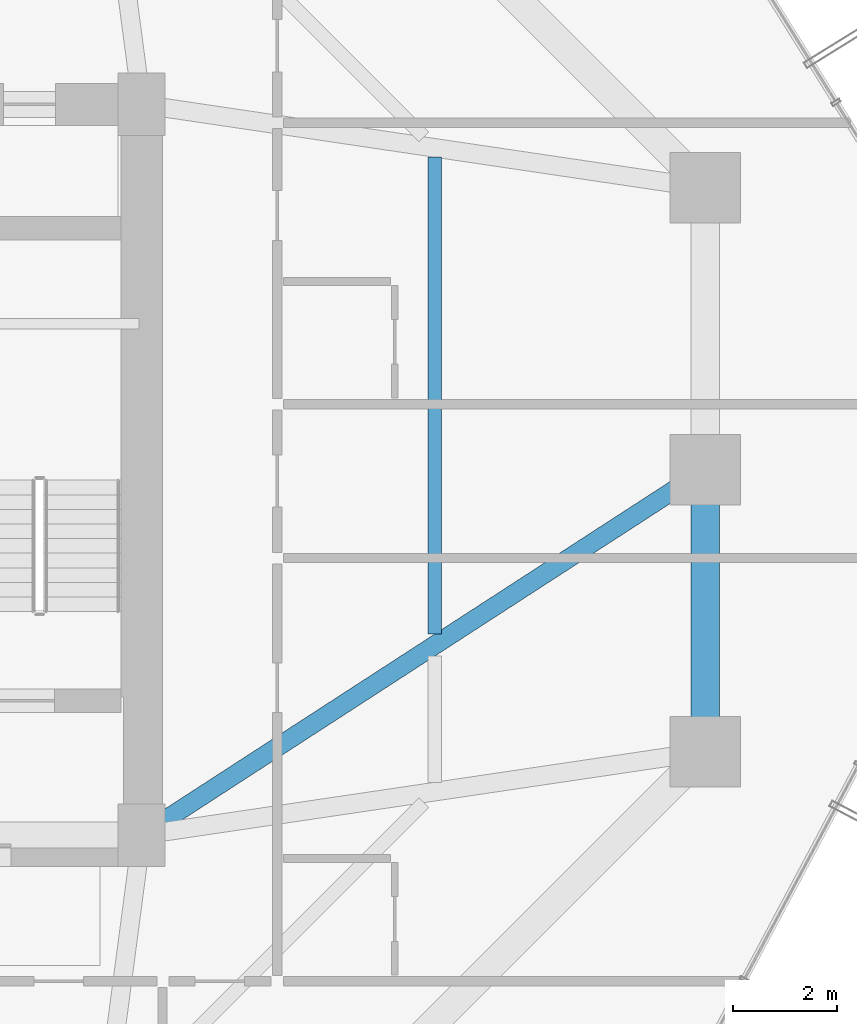
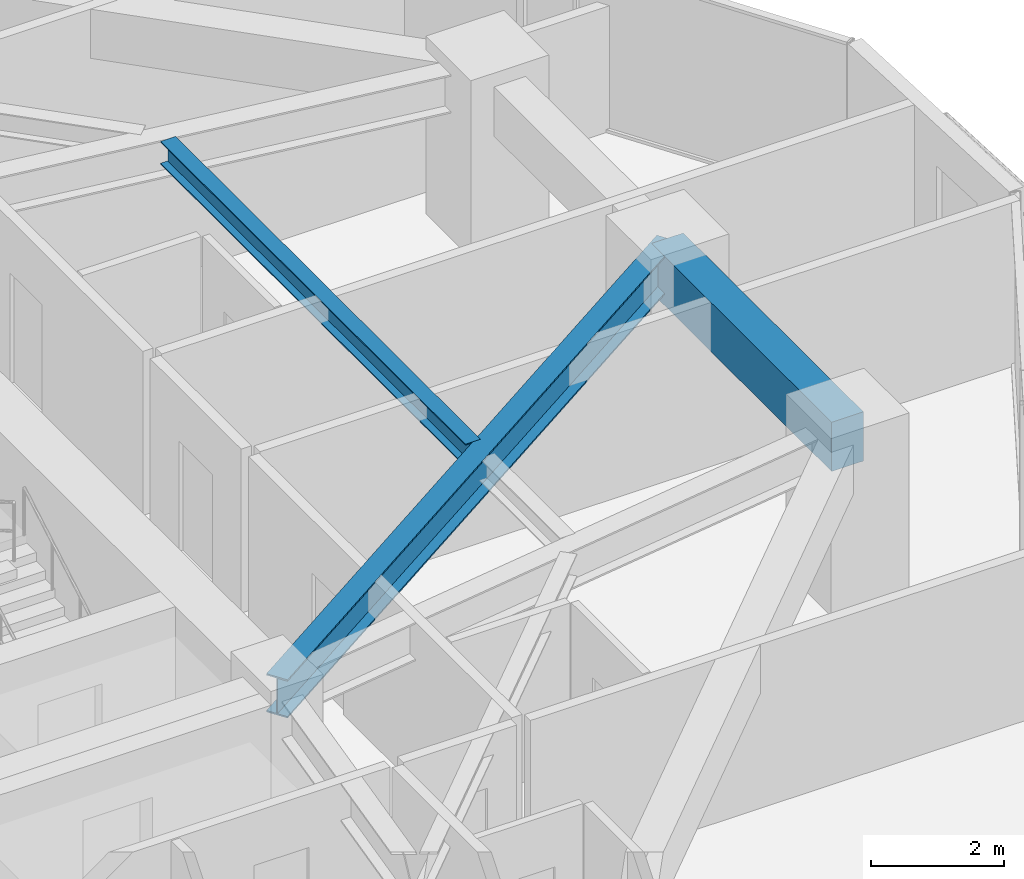
# One storey, part 19 of 39: 3 beams.
"""IFC4 building model written with IfcOpenShell, lengths in metres."""

from ifc_helpers import new_model, si_unit, direction, frame, origin, origin_2d, place, context, subcontext, project, spatial, rectangle, i_section, extrude, material, material_profile, profile_set, type_object, element, save


model = new_model("IFC4")

# Units and contexts
model_context = context("Model", 3, precision=1e-05, world=origin(), true_north=direction((0.0, 1.0)))
body_context = subcontext(model_context, "Body", "Model", "MODEL_VIEW")
ifc_project = project(units=[si_unit("LENGTHUNIT", "METRE"), si_unit("AREAUNIT", "SQUARE_METRE"), si_unit("VOLUMEUNIT", "CUBIC_METRE"), si_unit("PLANEANGLEUNIT", "RADIAN"), si_unit("MASSUNIT", "GRAM", prefix="KILO")], contexts=[model_context])

# Site, building, storey
site_placement = place(None, origin())
site = spatial("IfcSite", under=ifc_project, at=site_placement, CompositionType="ELEMENT")
building_placement = place(site_placement, origin())
building = spatial("IfcBuilding", under=site, at=building_placement, Name="Veraguas Prism Commons", CompositionType="ELEMENT")
storey_placement = place(building_placement, frame((0.0, 0.0, 30.550048828125)))
storey = spatial("IfcBuildingStorey", under=building, at=storey_placement, Name="L07", CompositionType="ELEMENT", Elevation=30.550048828125)

# Beams
ifc_material_1 = material(Name="Steel ASTM A992 Grade 50", Category="steel")
ifc_material_profile_1 = material_profile(ifc_material_1, i_section(OverallWidth=0.260986328125, OverallDepth=0.419921875, WebThickness=0.01171875, FlangeThickness=0.019287109375, at=origin_2d()), Name="W410X114")
ifc_profile_set_1 = profile_set([ifc_material_profile_1], Name="Steel ASTM A992 Grade 50")
beam_type_1 = type_object("IfcBeamType", Name="Lower Floor Joist W410x114", PredefinedType="JOIST", material=ifc_profile_set_1)
beam_1_placement = place(storey_placement, frame((36.416015625, 20.849609375, 2.7900390625), z_axis=(0.0, 1.0, 0.0), x_axis=(-1.0, 0.0, 0.0)))
element("IfcBeam", 1, at=beam_1_placement, inside=storey, type_object=beam_type_1, Name="Composite Floor Joist L07-JS02", PredefinedType="JOIST", context=body_context, shape_type="SweptSolid", body=[
    extrude(i_section(OverallWidth=0.260986328125, OverallDepth=0.419921875, WebThickness=0.01171875, FlangeThickness=0.019287109375, at=origin_2d()), origin(), (0.0, 0.0, 1.0), 9.140380859375),
])
ifc_material_2 = material(Name="Concrete C50/60", Category="concrete")
ifc_material_profile_2 = material_profile(ifc_material_2, rectangle(XDim=0.550048828125, YDim=0.89990234375, at=origin_2d()), Name="RC550X900")
ifc_profile_set_2 = profile_set([ifc_material_profile_2], Name="Concrete C50/60")
beam_type_2 = type_object("IfcBeamType", Name="Perimeter Spandrel Lower RC 550x900", PredefinedType="SPANDREL", material=ifc_profile_set_2)
beam_2_placement = place(storey_placement, frame((41.60009765625, 18.60009765625, 2.550048828125), z_axis=(0.0, 1.0, 0.0), x_axis=(-1.0, 0.0, 0.0)))
element("IfcBeam", 2, at=beam_2_placement, inside=storey, type_object=beam_type_2, Name="Perimeter Spandrel Beam L07-SP01", PredefinedType="SPANDREL", context=body_context, shape_type="SweptSolid", body=[
    extrude(rectangle(XDim=0.550048828125, YDim=0.89990234375, at=origin_2d()), origin(), (0.0, 0.0, 1.0), 5.39990234375),
])
ifc_material_profile_3 = material_profile(ifc_material_1, i_section(OverallWidth=0.35595703125, OverallDepth=0.700927734375, WebThickness=0.016845703125, FlangeThickness=0.02734375, at=origin_2d()), Name="W690X240")
ifc_profile_set_3 = profile_set([ifc_material_profile_3], Name="Steel ASTM A992 Grade 50")
beam_type_3 = type_object("IfcBeamType", Name="Zone 1 Radial Girder W690x240", PredefinedType="BEAM", material=ifc_profile_set_3)
beam_3_placement = place(storey_placement, frame((41.60009765625, 24.0, 2.6494140625), z_axis=(-0.839154108875, -0.543893722668, 0.0), x_axis=(0.543893722668, -0.839154108875, 0.0)))
element("IfcBeam", 3, at=beam_3_placement, inside=storey, type_object=beam_type_3, Name="Radial Floor Girder L07-RD02", PredefinedType="BEAM", context=body_context, shape_type="SweptSolid", body=[
    extrude(i_section(OverallWidth=0.35595703125, OverallDepth=0.700927734375, WebThickness=0.016845703125, FlangeThickness=0.02734375, at=origin_2d()), origin(), (0.0, 0.0, 1.0), 12.8701171875),
])

save(model, "model.ifc")
